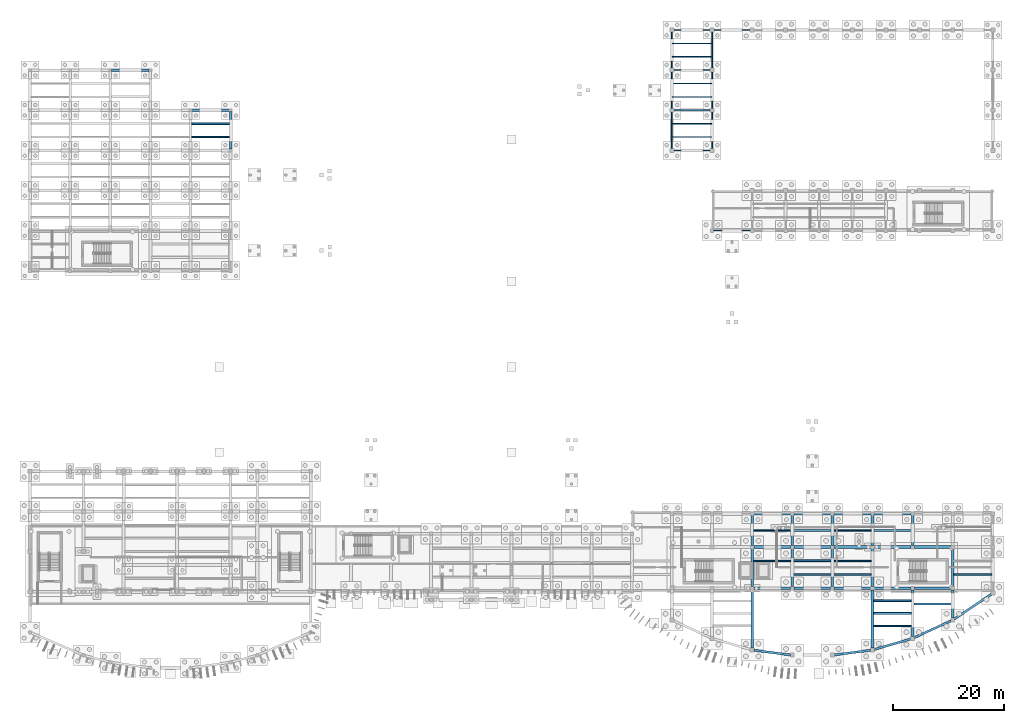
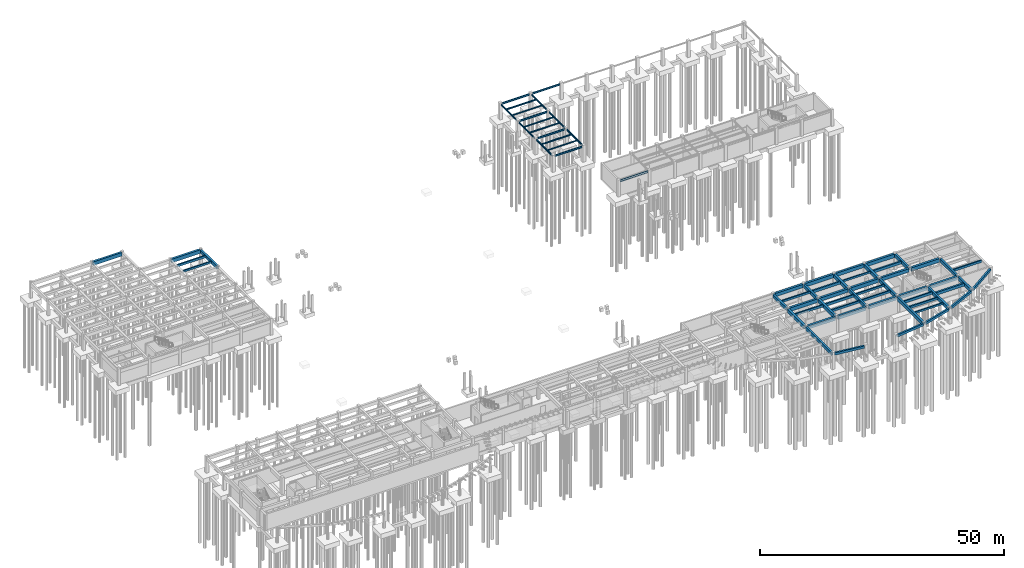
# One storey, part 14 of 31: 70 beams.
"""IFC4 building model written with IfcOpenShell, lengths in metres."""

from ifc_helpers import new_model, si_unit, direction, frame, origin, origin_2d, place, context, subcontext, project, spatial, rectangle, i_section, extrude, material, material_profile, profile_set, type_object, element, save


model = new_model("IFC4")

# Units and contexts
model_context = context("Model", 3, precision=1e-05, world=origin(), true_north=direction((0.0, 1.0)))
body_context = subcontext(model_context, "Body", "Model", "MODEL_VIEW")
ifc_project = project(units=[si_unit("LENGTHUNIT", "METRE"), si_unit("AREAUNIT", "SQUARE_METRE"), si_unit("VOLUMEUNIT", "CUBIC_METRE"), si_unit("PLANEANGLEUNIT", "RADIAN"), si_unit("MASSUNIT", "GRAM", prefix="KILO")], contexts=[model_context])

# Site, building, storey
site_placement = place(None, origin())
site = spatial("IfcSite", under=ifc_project, at=site_placement, CompositionType="ELEMENT")
building_placement = place(site_placement, origin())
building = spatial("IfcBuilding", under=site, at=building_placement, Name="Brisavento Harbour Community Centre", CompositionType="ELEMENT")
storey_placement = place(building_placement, frame((0.0, 0.0, -4.199951171875)))
storey = spatial("IfcBuildingStorey", under=building, at=storey_placement, Name="B1", CompositionType="ELEMENT", Elevation=-4.199951171875)

# Beams
ifc_material_1 = material(Name="Concrete C35/45", Category="concrete")
ifc_material_profile_1 = material_profile(ifc_material_1, rectangle(XDim=0.25, YDim=0.449951171875, at=origin_2d()), Name="Concrete C35/45")
ifc_profile_set_1 = profile_set([ifc_material_profile_1], Name="Concrete C35/45")
beam_type_1 = type_object("IfcBeamType", Name="BM-JST-250x450", PredefinedType="JOIST", material=ifc_profile_set_1)
beam_1_placement = place(storey_placement, frame((144.25, 25.39990234375, 3.695068359375), z_axis=(1.0, 0.0, 0.0), x_axis=(0.0, 1.0, 0.0)))
element("IfcBeam", 1, at=beam_1_placement, inside=storey, type_object=beam_type_1, Name="B1 secondary floor joist 0112", PredefinedType="JOIST", context=body_context, shape_type="SweptSolid", body=[
    extrude(rectangle(XDim=0.25, YDim=0.449951171875, at=origin_2d()), origin(), (0.0, 0.0, 1.0), 6.699951171875),
])
ifc_material_profile_2 = material_profile(ifc_material_1, rectangle(XDim=0.260009765625, YDim=0.4599609375, at=origin_2d()), Name="Concrete C35/45")
ifc_profile_set_2 = profile_set([ifc_material_profile_2], Name="Concrete C35/45")
beam_type_2 = type_object("IfcBeamType", Name="BM-JST-260x460", PredefinedType="JOIST", material=ifc_profile_set_2)
beam_2_placement = place(storey_placement, frame((29.050048828125, 96.0, 3.68994140625), z_axis=(1.0, 0.0, 0.0), x_axis=(0.0, 1.0, 0.0)))
element("IfcBeam", 2, at=beam_2_placement, inside=storey, type_object=beam_type_2, Name="B1 secondary floor joist 0060", PredefinedType="JOIST", context=body_context, shape_type="SweptSolid", body=[
    extrude(rectangle(XDim=0.260009765625, YDim=0.4599609375, at=origin_2d()), origin(), (0.0, 0.0, 1.0), 6.724853515625),
])
beam_3_placement = place(storey_placement, frame((151.449951171875, 8.26123046875, 3.68994140625), z_axis=(1.0, 0.0, 0.0), x_axis=(0.0, 1.0, 0.0)))
element("IfcBeam", 3, at=beam_3_placement, inside=storey, type_object=beam_type_2, Name="B1 secondary floor joist 0115", PredefinedType="JOIST", context=body_context, shape_type="SweptSolid", body=[
    extrude(rectangle(XDim=0.260009765625, YDim=0.4599609375, at=origin_2d()), origin(), (0.0, 0.0, 1.0), 6.699951171875),
])
ifc_material_profile_3 = material_profile(ifc_material_1, rectangle(XDim=0.300048828125, YDim=0.5, at=origin_2d()), Name="Concrete C35/45")
ifc_profile_set_3 = profile_set([ifc_material_profile_3], Name="Concrete C35/45")
beam_type_3 = type_object("IfcBeamType", Name="BM-JST-300x500", PredefinedType="JOIST", material=ifc_profile_set_3)
for number, where, z_axis, x_axis, name in (
    (4, (129.824951171875, 25.39990234375, 3.669921875), (1.0, 0.0, 0.0), (0.0, 1.0, 0.0), "B1 secondary floor joist 0100"),
    (5, (144.22509765625, 19.933349609375, 3.669921875), (1.0, 0.0, 0.0), (0.0, 1.0, 0.0), "B1 secondary floor joist 0111"),
):
    element("IfcBeam", number, at=place(storey_placement, frame(where, z_axis=z_axis, x_axis=x_axis)), inside=storey, type_object=beam_type_3, Name=name, PredefinedType="JOIST", context=body_context, shape_type="SweptSolid", body=[
        extrude(rectangle(XDim=0.300048828125, YDim=0.5, at=origin_2d()), origin(), (0.0, 0.0, 1.0), 6.75),
    ])
ifc_material_profile_4 = material_profile(ifc_material_1, rectangle(XDim=0.300048828125, YDim=0.550048828125, at=origin_2d()), Name="Concrete C35/45")
ifc_profile_set_4 = profile_set([ifc_material_profile_4], Name="Concrete C35/45")
beam_type_4 = type_object("IfcBeamType", Name="BM-JST-300x550", PredefinedType="JOIST", material=ifc_profile_set_4)
beam_4_placement = place(storey_placement, frame((129.85009765625, 19.933349609375, 3.64501953125), z_axis=(1.0, 0.0, 0.0), x_axis=(0.0, 1.0, 0.0)))
element("IfcBeam", 6, at=beam_4_placement, inside=storey, type_object=beam_type_4, Name="B1 secondary floor joist 0099", PredefinedType="JOIST", context=body_context, shape_type="SweptSolid", body=[
    extrude(rectangle(XDim=0.300048828125, YDim=0.550048828125, at=origin_2d()), origin(), (0.0, 0.0, 1.0), 6.699951171875),
])
for number, where, z_axis, x_axis, name in (
    (7, (144.22509765625, 17.466796875, 3.64501953125), (1.0, 0.0, 0.0), (0.0, 1.0, 0.0), "B1 secondary floor joist 0110"),
    (8, (165.824951171875, 17.466796875, 3.64501953125), (1.0, 0.0, 0.0), (0.0, 1.0, 0.0), "B1 secondary floor joist 0121"),
):
    element("IfcBeam", number, at=place(storey_placement, frame(where, z_axis=z_axis, x_axis=x_axis)), inside=storey, type_object=beam_type_4, Name=name, PredefinedType="JOIST", context=body_context, shape_type="SweptSolid", body=[
        extrude(rectangle(XDim=0.300048828125, YDim=0.550048828125, at=origin_2d()), origin(), (0.0, 0.0, 1.0), 6.75),
    ])
ifc_material_profile_5 = material_profile(ifc_material_1, rectangle(XDim=0.320068359375, YDim=0.56005859375, at=origin_2d()), Name="Concrete C35/45")
ifc_profile_set_5 = profile_set([ifc_material_profile_5], Name="Concrete C35/45")
beam_type_5 = type_object("IfcBeamType", Name="BM-JST-320x560", PredefinedType="JOIST", material=ifc_profile_set_5)
for number, where, z_axis, x_axis, name in (
    (9, (29.050048828125, 98.39990234375, 3.639892578125), (1.0, 0.0, 0.0), (0.0, 1.0, 0.0), "B1 secondary floor joist 0061"),
    (10, (137.050048828125, 17.466796875, 3.639892578125), (1.0, 0.0, 0.0), (0.0, 1.0, 0.0), "B1 secondary floor joist 0105"),
):
    element("IfcBeam", number, at=place(storey_placement, frame(where, z_axis=z_axis, x_axis=x_axis)), inside=storey, type_object=beam_type_5, Name=name, PredefinedType="JOIST", context=body_context, shape_type="SweptSolid", body=[
        extrude(rectangle(XDim=0.320068359375, YDim=0.56005859375, at=origin_2d()), origin(), (0.0, 0.0, 1.0), 6.724853515625),
    ])
beam_5_placement = place(storey_placement, frame((151.449951171875, 10.507568359375, 3.639892578125), z_axis=(1.0, 0.0, 0.0), x_axis=(0.0, 1.0, 0.0)))
element("IfcBeam", 11, at=beam_5_placement, inside=storey, type_object=beam_type_5, Name="B1 secondary floor joist 0116", PredefinedType="JOIST", context=body_context, shape_type="SweptSolid", body=[
    extrude(rectangle(XDim=0.320068359375, YDim=0.56005859375, at=origin_2d()), origin(), (0.0, 0.0, 1.0), 6.699951171875),
])
ifc_material_profile_6 = material_profile(ifc_material_1, rectangle(XDim=0.320068359375, YDim=0.6201171875, at=origin_2d()), Name="Concrete C35/45")
ifc_profile_set_6 = profile_set([ifc_material_profile_6], Name="Concrete C35/45")
beam_type_6 = type_object("IfcBeamType", Name="BM-JST-320x620", PredefinedType="JOIST", material=ifc_profile_set_6)
beam_6_placement = place(storey_placement, frame((137.050048828125, 19.933349609375, 3.60986328125), z_axis=(1.0, 0.0, 0.0), x_axis=(0.0, 1.0, 0.0)))
element("IfcBeam", 12, at=beam_6_placement, inside=storey, type_object=beam_type_6, Name="B1 secondary floor joist 0106", PredefinedType="JOIST", context=body_context, shape_type="SweptSolid", body=[
    extrude(rectangle(XDim=0.320068359375, YDim=0.6201171875, at=origin_2d()), origin(), (0.0, 0.0, 1.0), 6.724853515625),
])
beam_7_placement = place(storey_placement, frame((151.449951171875, 12.75390625, 3.60986328125), z_axis=(1.0, 0.0, 0.0), x_axis=(0.0, 1.0, 0.0)))
element("IfcBeam", 13, at=beam_7_placement, inside=storey, type_object=beam_type_6, Name="B1 secondary floor joist 0117", PredefinedType="JOIST", context=body_context, shape_type="SweptSolid", body=[
    extrude(rectangle(XDim=0.320068359375, YDim=0.6201171875, at=origin_2d()), origin(), (0.0, 0.0, 1.0), 6.699951171875),
])
ifc_material_profile_7 = material_profile(ifc_material_1, rectangle(XDim=0.360107421875, YDim=0.679931640625, at=origin_2d()), Name="Concrete C35/45")
ifc_profile_set_7 = profile_set([ifc_material_profile_7], Name="Concrete C35/45")
beam_type_7 = type_object("IfcBeamType", Name="BM-JST-360x680", PredefinedType="JOIST", material=ifc_profile_set_7)
for number, where, z_axis, x_axis, name in (
    (14, (137.02490234375, 25.39990234375, 3.579833984375), (1.0, 0.0, 0.0), (0.0, 1.0, 0.0), "B1 secondary floor joist 0107"),
    (15, (151.449951171875, 25.39990234375, 3.579833984375), (1.0, 0.0, 0.0), (0.0, 1.0, 0.0), "B1 secondary floor joist 0118"),
):
    element("IfcBeam", number, at=place(storey_placement, frame(where, z_axis=z_axis, x_axis=x_axis)), inside=storey, type_object=beam_type_7, Name=name, PredefinedType="JOIST", context=body_context, shape_type="SweptSolid", body=[
        extrude(rectangle(XDim=0.360107421875, YDim=0.679931640625, at=origin_2d()), origin(), (0.0, 0.0, 1.0), 6.72509765625),
    ])
ifc_material_profile_8 = material_profile(ifc_material_1, rectangle(XDim=0.3798828125, YDim=0.719970703125, at=origin_2d()), Name="Concrete C35/45")
ifc_profile_set_8 = profile_set([ifc_material_profile_8], Name="Concrete C35/45")
beam_type_8 = type_object("IfcBeamType", Name="BM-JST-380x720", PredefinedType="JOIST", material=ifc_profile_set_8)
beam_8_placement = place(storey_placement, frame((158.64990234375, 12.156982421875, 3.56005859375), z_axis=(1.0, 0.0, 0.0), x_axis=(0.0, 1.0, 0.0)))
element("IfcBeam", 16, at=beam_8_placement, inside=storey, type_object=beam_type_8, Name="B1 secondary floor joist 0119", PredefinedType="JOIST", context=body_context, shape_type="SweptSolid", body=[
    extrude(rectangle(XDim=0.3798828125, YDim=0.719970703125, at=origin_2d()), origin(), (0.0, 0.0, 1.0), 6.7001953125),
])
ifc_material_profile_9 = material_profile(ifc_material_1, rectangle(XDim=0.449951171875, YDim=0.800048828125, at=origin_2d()), Name="Concrete C35/45")
ifc_profile_set_9 = profile_set([ifc_material_profile_9], Name="Concrete C35/45")
beam_type_9 = type_object("IfcBeamType", Name="BM-RC-450x800", PredefinedType="BEAM", material=ifc_profile_set_9)
beam_9_placement = place(storey_placement, frame((36.0, 93.820068359375, 3.52001953125), z_axis=(0.0, 1.0, 0.0), x_axis=(-1.0, 0.0, 0.0)))
element("IfcBeam", 17, at=beam_9_placement, inside=storey, type_object=beam_type_9, Name="B1 primary girder Y0161", PredefinedType="BEAM", context=body_context, shape_type="SweptSolid", body=[
    extrude(rectangle(XDim=0.449951171875, YDim=0.800048828125, at=origin_2d()), origin(), (0.0, 0.0, 1.0), 6.760009765625),
])
beam_10_placement = place(storey_placement, frame((129.60009765625, 4.25390625, 3.52001953125), z_axis=(0.0, 1.0, 0.0), x_axis=(-1.0, 0.0, 0.0)))
element("IfcBeam", 18, at=beam_10_placement, inside=storey, type_object=beam_type_9, Name="B1 primary girder Y0185", PredefinedType="BEAM", context=body_context, shape_type="SweptSolid", body=[
    extrude(rectangle(XDim=0.449951171875, YDim=0.800048828125, at=origin_2d()), origin(), (0.0, 0.0, 1.0), 10.451171875),
])
for number, where, z_axis, x_axis, name in (
    (19, (129.60009765625, 22.695068359375, 3.52001953125), (0.0, 1.0, 0.0), (-1.0, 0.0, 0.0), "B1 primary girder Y0187"),
    (20, (136.800048828125, 22.695068359375, 3.52001953125), (0.0, 1.0, 0.0), (-1.0, 0.0, 0.0), "B1 primary girder Y0191"),
):
    element("IfcBeam", number, at=place(storey_placement, frame(where, z_axis=z_axis, x_axis=x_axis)), inside=storey, type_object=beam_type_9, Name=name, PredefinedType="BEAM", context=body_context, shape_type="SweptSolid", body=[
        extrude(rectangle(XDim=0.449951171875, YDim=0.800048828125, at=origin_2d()), origin(), (0.0, 0.0, 1.0), 5.434814453125),
    ])
for number, where, z_axis, x_axis, name in (
    (21, (144.0, 15.294921875, 3.52001953125), (0.0, 1.0, 0.0), (-1.0, 0.0, 0.0), "B1 primary girder Y0193"),
    (22, (151.199951171875, 15.294921875, 3.52001953125), (0.0, 1.0, 0.0), (-1.0, 0.0, 0.0), "B1 primary girder Y0197"),
):
    element("IfcBeam", number, at=place(storey_placement, frame(where, z_axis=z_axis, x_axis=x_axis)), inside=storey, type_object=beam_type_9, Name=name, PredefinedType="BEAM", context=body_context, shape_type="SweptSolid", body=[
        extrude(rectangle(XDim=0.449951171875, YDim=0.800048828125, at=origin_2d()), origin(), (0.0, 0.0, 1.0), 6.81005859375),
    ])
beam_11_placement = place(storey_placement, frame((158.39990234375, 22.695068359375, 3.52001953125), z_axis=(0.0, 1.0, 0.0), x_axis=(-1.0, 0.0, 0.0)))
element("IfcBeam", 23, at=beam_11_placement, inside=storey, type_object=beam_type_9, Name="B1 primary girder Y0201", PredefinedType="BEAM", context=body_context, shape_type="SweptSolid", body=[
    extrude(rectangle(XDim=0.449951171875, YDim=0.800048828125, at=origin_2d()), origin(), (0.0, 0.0, 1.0), 5.434814453125),
])
beam_12_placement = place(storey_placement, frame((165.60009765625, 15.294921875, 3.52001953125), z_axis=(0.0, 1.0, 0.0), x_axis=(-1.0, 0.0, 0.0)))
element("IfcBeam", 24, at=beam_12_placement, inside=storey, type_object=beam_type_9, Name="B1 primary girder Y0203", PredefinedType="BEAM", context=body_context, shape_type="SweptSolid", body=[
    extrude(rectangle(XDim=0.449951171875, YDim=0.800048828125, at=origin_2d()), origin(), (0.0, 0.0, 1.0), 6.81005859375),
])
ifc_material_profile_10 = material_profile(ifc_material_1, rectangle(XDim=0.5, YDim=0.85009765625, at=origin_2d()), Name="Concrete C35/45")
ifc_profile_set_10 = profile_set([ifc_material_profile_10], Name="Concrete C35/45")
beam_type_10 = type_object("IfcBeamType", Name="BM-RC-500x850", PredefinedType="BEAM", material=ifc_profile_set_10)
beam_13_placement = place(storey_placement, frame((129.89501953125, 15.0, 3.494873046875), z_axis=(1.0, 0.0, 0.0), x_axis=(0.0, 1.0, 0.0)))
element("IfcBeam", 25, at=beam_13_placement, inside=storey, type_object=beam_type_10, Name="B1 primary girder X0021", PredefinedType="BEAM", context=body_context, shape_type="SweptSolid", body=[
    extrude(rectangle(XDim=0.5, YDim=0.85009765625, at=origin_2d()), origin(), (0.0, 0.0, 1.0), 6.60986328125),
])
beam_14_placement = place(storey_placement, frame((144.294921875, 15.0, 3.494873046875), z_axis=(1.0, 0.0, 0.0), x_axis=(0.0, 1.0, 0.0)))
element("IfcBeam", 26, at=beam_14_placement, inside=storey, type_object=beam_type_10, Name="B1 primary girder X0023", PredefinedType="BEAM", context=body_context, shape_type="SweptSolid", body=[
    extrude(rectangle(XDim=0.5, YDim=0.85009765625, at=origin_2d()), origin(), (0.0, 0.0, 1.0), 6.610107421875),
])
beam_15_placement = place(storey_placement, frame((158.695068359375, 15.0, 3.494873046875), z_axis=(1.0, 0.0, 0.0), x_axis=(0.0, 1.0, 0.0)))
element("IfcBeam", 27, at=beam_15_placement, inside=storey, type_object=beam_type_10, Name="B1 primary girder X0025", PredefinedType="BEAM", context=body_context, shape_type="SweptSolid", body=[
    extrude(rectangle(XDim=0.5, YDim=0.85009765625, at=origin_2d()), origin(), (0.0, 0.0, 1.0), 6.60986328125),
])
beam_16_placement = place(storey_placement, frame((137.094970703125, 22.39990234375, 3.494873046875), z_axis=(1.0, 0.0, 0.0), x_axis=(0.0, 1.0, 0.0)))
element("IfcBeam", 28, at=beam_16_placement, inside=storey, type_object=beam_type_10, Name="B1 primary girder X0031", PredefinedType="BEAM", context=body_context, shape_type="SweptSolid", body=[
    extrude(rectangle(XDim=0.5, YDim=0.85009765625, at=origin_2d()), origin(), (0.0, 0.0, 1.0), 6.610107421875),
])
beam_17_placement = place(storey_placement, frame((151.4951171875, 22.39990234375, 3.494873046875), z_axis=(1.0, 0.0, 0.0), x_axis=(0.0, 1.0, 0.0)))
element("IfcBeam", 29, at=beam_17_placement, inside=storey, type_object=beam_type_10, Name="B1 primary girder X0033", PredefinedType="BEAM", context=body_context, shape_type="SweptSolid", body=[
    extrude(rectangle(XDim=0.5, YDim=0.85009765625, at=origin_2d()), origin(), (0.0, 0.0, 1.0), 6.60986328125),
])
for number, where, z_axis, x_axis, name in (
    (30, (129.8701171875, 28.39990234375, 3.494873046875), (1.0, 0.0, 0.0), (0.0, 1.0, 0.0), "B1 primary girder X0045"),
    (31, (144.27001953125, 28.39990234375, 3.494873046875), (1.0, 0.0, 0.0), (0.0, 1.0, 0.0), "B1 primary girder X0047"),
):
    element("IfcBeam", number, at=place(storey_placement, frame(where, z_axis=z_axis, x_axis=x_axis)), inside=storey, type_object=beam_type_10, Name=name, PredefinedType="BEAM", context=body_context, shape_type="SweptSolid", body=[
        extrude(rectangle(XDim=0.5, YDim=0.85009765625, at=origin_2d()), origin(), (0.0, 0.0, 1.0), 6.659912109375),
    ])
ifc_material_profile_11 = material_profile(ifc_material_1, rectangle(XDim=0.5, YDim=0.89990234375, at=origin_2d()), Name="Concrete C35/45")
ifc_profile_set_11 = profile_set([ifc_material_profile_11], Name="Concrete C35/45")
beam_type_11 = type_object("IfcBeamType", Name="BM-RC-500x900", PredefinedType="BEAM", material=ifc_profile_set_11)
beam_18_placement = place(storey_placement, frame((137.094970703125, 15.0, 3.469970703125), z_axis=(1.0, 0.0, 0.0), x_axis=(0.0, 1.0, 0.0)))
element("IfcBeam", 32, at=beam_18_placement, inside=storey, type_object=beam_type_11, Name="B1 primary girder X0022", PredefinedType="BEAM", context=body_context, shape_type="SweptSolid", body=[
    extrude(rectangle(XDim=0.5, YDim=0.89990234375, at=origin_2d()), origin(), (0.0, 0.0, 1.0), 6.610107421875),
])
for number, where, z_axis, x_axis, name in (
    (33, (151.4951171875, 15.0, 3.469970703125), (1.0, 0.0, 0.0), (0.0, 1.0, 0.0), "B1 primary girder X0024"),
    (34, (129.89501953125, 22.39990234375, 3.469970703125), (1.0, 0.0, 0.0), (0.0, 1.0, 0.0), "B1 primary girder X0030"),
):
    element("IfcBeam", number, at=place(storey_placement, frame(where, z_axis=z_axis, x_axis=x_axis)), inside=storey, type_object=beam_type_11, Name=name, PredefinedType="BEAM", context=body_context, shape_type="SweptSolid", body=[
        extrude(rectangle(XDim=0.5, YDim=0.89990234375, at=origin_2d()), origin(), (0.0, 0.0, 1.0), 6.60986328125),
    ])
beam_19_placement = place(storey_placement, frame((144.294921875, 22.39990234375, 3.469970703125), z_axis=(1.0, 0.0, 0.0), x_axis=(0.0, 1.0, 0.0)))
element("IfcBeam", 35, at=beam_19_placement, inside=storey, type_object=beam_type_11, Name="B1 primary girder X0032", PredefinedType="BEAM", context=body_context, shape_type="SweptSolid", body=[
    extrude(rectangle(XDim=0.5, YDim=0.89990234375, at=origin_2d()), origin(), (0.0, 0.0, 1.0), 6.610107421875),
])
beam_20_placement = place(storey_placement, frame((158.695068359375, 22.39990234375, 3.469970703125), z_axis=(1.0, 0.0, 0.0), x_axis=(0.0, 1.0, 0.0)))
element("IfcBeam", 36, at=beam_20_placement, inside=storey, type_object=beam_type_11, Name="B1 primary girder X0034", PredefinedType="BEAM", context=body_context, shape_type="SweptSolid", body=[
    extrude(rectangle(XDim=0.5, YDim=0.89990234375, at=origin_2d()), origin(), (0.0, 0.0, 1.0), 6.60986328125),
])
for number, where, z_axis, x_axis, name in (
    (37, (137.070068359375, 28.39990234375, 3.469970703125), (1.0, 0.0, 0.0), (0.0, 1.0, 0.0), "B1 primary girder X0046"),
    (38, (151.469970703125, 28.39990234375, 3.469970703125), (1.0, 0.0, 0.0), (0.0, 1.0, 0.0), "B1 primary girder X0048"),
):
    element("IfcBeam", number, at=place(storey_placement, frame(where, z_axis=z_axis, x_axis=x_axis)), inside=storey, type_object=beam_type_11, Name=name, PredefinedType="BEAM", context=body_context, shape_type="SweptSolid", body=[
        extrude(rectangle(XDim=0.5, YDim=0.89990234375, at=origin_2d()), origin(), (0.0, 0.0, 1.0), 6.659912109375),
    ])
beam_21_placement = place(storey_placement, frame((29.02001953125, 100.800048828125, 3.469970703125), z_axis=(1.0, 0.0, 0.0), x_axis=(0.0, 1.0, 0.0)))
element("IfcBeam", 39, at=beam_21_placement, inside=storey, type_object=beam_type_11, Name="B1 primary girder X0106", PredefinedType="BEAM", context=body_context, shape_type="SweptSolid", body=[
    extrude(rectangle(XDim=0.5, YDim=0.89990234375, at=origin_2d()), origin(), (0.0, 0.0, 1.0), 6.760009765625),
])
beam_22_placement = place(storey_placement, frame((14.6201171875, 108.0, 3.469970703125), z_axis=(1.0, 0.0, 0.0), x_axis=(0.0, 1.0, 0.0)))
element("IfcBeam", 40, at=beam_22_placement, inside=storey, type_object=beam_type_11, Name="B1 primary girder X0110", PredefinedType="BEAM", context=body_context, shape_type="SweptSolid", body=[
    extrude(rectangle(XDim=0.5, YDim=0.89990234375, at=origin_2d()), origin(), (0.0, 0.0, 1.0), 6.759765625),
])
for number, where, z_axis, x_axis, name in (
    (41, (129.60009765625, 15.294921875, 3.469970703125), (0.0, 1.0, 0.0), (-1.0, 0.0, 0.0), "B1 primary girder Y0186"),
    (42, (136.800048828125, 15.294921875, 3.469970703125), (0.0, 1.0, 0.0), (-1.0, 0.0, 0.0), "B1 primary girder Y0190"),
):
    element("IfcBeam", number, at=place(storey_placement, frame(where, z_axis=z_axis, x_axis=x_axis)), inside=storey, type_object=beam_type_11, Name=name, PredefinedType="BEAM", context=body_context, shape_type="SweptSolid", body=[
        extrude(rectangle(XDim=0.5, YDim=0.89990234375, at=origin_2d()), origin(), (0.0, 0.0, 1.0), 6.81005859375),
    ])
beam_23_placement = place(storey_placement, frame((144.0, 22.695068359375, 3.469970703125), z_axis=(0.0, 1.0, 0.0), x_axis=(-1.0, 0.0, 0.0)))
element("IfcBeam", 43, at=beam_23_placement, inside=storey, type_object=beam_type_11, Name="B1 primary girder Y0194", PredefinedType="BEAM", context=body_context, shape_type="SweptSolid", body=[
    extrude(rectangle(XDim=0.5, YDim=0.89990234375, at=origin_2d()), origin(), (0.0, 0.0, 1.0), 5.434814453125),
])
beam_24_placement = place(storey_placement, frame((151.199951171875, 4.25390625, 3.469970703125), z_axis=(0.0, 1.0, 0.0), x_axis=(-1.0, 0.0, 0.0)))
element("IfcBeam", 44, at=beam_24_placement, inside=storey, type_object=beam_type_11, Name="B1 primary girder Y0196", PredefinedType="BEAM", context=body_context, shape_type="SweptSolid", body=[
    extrude(rectangle(XDim=0.5, YDim=0.89990234375, at=origin_2d()), origin(), (0.0, 0.0, 1.0), 10.451171875),
])
beam_25_placement = place(storey_placement, frame((151.199951171875, 22.695068359375, 3.469970703125), z_axis=(0.0, 1.0, 0.0), x_axis=(-1.0, 0.0, 0.0)))
element("IfcBeam", 45, at=beam_25_placement, inside=storey, type_object=beam_type_11, Name="B1 primary girder Y0198", PredefinedType="BEAM", context=body_context, shape_type="SweptSolid", body=[
    extrude(rectangle(XDim=0.5, YDim=0.89990234375, at=origin_2d()), origin(), (0.0, 0.0, 1.0), 5.434814453125),
])
beam_26_placement = place(storey_placement, frame((158.39990234375, 6.3349609375, 3.469970703125), z_axis=(0.0, 1.0, 0.0), x_axis=(-1.0, 0.0, 0.0)))
element("IfcBeam", 46, at=beam_26_placement, inside=storey, type_object=beam_type_11, Name="B1 primary girder Y0200", PredefinedType="BEAM", context=body_context, shape_type="SweptSolid", body=[
    extrude(rectangle(XDim=0.5, YDim=0.89990234375, at=origin_2d()), origin(), (0.0, 0.0, 1.0), 8.3701171875),
])
beam_27_placement = place(storey_placement, frame((165.60009765625, 9.634033203125, 3.469970703125), z_axis=(0.0, 1.0, 0.0), x_axis=(-1.0, 0.0, 0.0)))
element("IfcBeam", 47, at=beam_27_placement, inside=storey, type_object=beam_type_11, Name="B1 primary girder Y0202", PredefinedType="BEAM", context=body_context, shape_type="SweptSolid", body=[
    extrude(rectangle(XDim=0.5, YDim=0.89990234375, at=origin_2d()), origin(), (0.0, 0.0, 1.0), 5.071044921875),
])
ifc_material_profile_12 = material_profile(ifc_material_1, rectangle(XDim=0.39990234375, YDim=0.60009765625, at=origin_2d()), Name="Concrete C35/45")
ifc_profile_set_12 = profile_set([ifc_material_profile_12], Name="Concrete C35/45")
beam_type_12 = type_object("IfcBeamType", Name="BM-SPN-400x600", PredefinedType="SPANDREL", material=ifc_profile_set_12)
for number, where, z_axis, x_axis, name in (
    (48, (129.917236328125, 3.892822265625, 3.619873046875), (0.991693101338, -0.128626563196, 0.0), (0.128626563196, 0.991693101338, 0.0), "B1 curved perimeter spandrel 0218"),
    (49, (144.3173828125, 3.041259765625, 3.619873046875), (0.991693101338, 0.128626563196, 0.0), (-0.128626563196, 0.991693101338, 0.0), "B1 curved perimeter spandrel 0219"),
):
    element("IfcBeam", number, at=place(storey_placement, frame(where, z_axis=z_axis, x_axis=x_axis)), inside=storey, type_object=beam_type_12, Name=name, PredefinedType="SPANDREL", context=body_context, shape_type="SweptSolid", body=[
        extrude(rectangle(XDim=0.39990234375, YDim=0.60009765625, at=origin_2d()), origin(), (0.0, 0.0, 1.0), 6.620361328125),
    ])
beam_28_placement = place(storey_placement, frame((151.50732421875, 4.02294921875, 3.619873046875), z_axis=(0.960687587705, 0.277631696369, 0.0), x_axis=(-0.277631696369, 0.960687587705, 0.0)))
element("IfcBeam", 50, at=beam_28_placement, inside=storey, type_object=beam_type_12, Name="B1 curved perimeter spandrel 0220", PredefinedType="SPANDREL", context=body_context, shape_type="SweptSolid", body=[
    extrude(rectangle(XDim=0.39990234375, YDim=0.60009765625, at=origin_2d()), origin(), (0.0, 0.0, 1.0), 6.854736328125),
])
beam_29_placement = place(storey_placement, frame((158.69091796875, 6.148193359375, 3.619873046875), z_axis=(0.909109276526, 0.416557707088, 0.0), x_axis=(-0.416557707088, 0.909109276526, 0.0)))
element("IfcBeam", 51, at=beam_29_placement, inside=storey, type_object=beam_type_12, Name="B1 curved perimeter spandrel 0221", PredefinedType="SPANDREL", context=body_context, shape_type="SweptSolid", body=[
    extrude(rectangle(XDim=0.39990234375, YDim=0.60009765625, at=origin_2d()), origin(), (0.0, 0.0, 1.0), 7.27978515625),
])
beam_30_placement = place(storey_placement, frame((165.865966796875, 9.491943359375, 3.619873046875), z_axis=(0.831305000321, 0.555816513286, 0.0), x_axis=(-0.555816513286, 0.831305000321, 0.0)))
element("IfcBeam", 52, at=beam_30_placement, inside=storey, type_object=beam_type_12, Name="B1 curved perimeter spandrel 0222", PredefinedType="SPANDREL", context=body_context, shape_type="SweptSolid", body=[
    extrude(rectangle(XDim=0.39990234375, YDim=0.60009765625, at=origin_2d()), origin(), (0.0, 0.0, 1.0), 8.02099609375),
])
ifc_material_2 = material(Name="Steel S355", Category="steel")
ifc_material_profile_13 = material_profile(ifc_material_2, i_section(OverallWidth=0.1201171875, OverallDepth=0.239990234375, WebThickness=0.006103515625, FlangeThickness=0.009765625, FilletRadius=0.014892578125, at=origin_2d()), Name="Steel S355")
ifc_profile_set_13 = profile_set([ifc_material_profile_13], Name="Steel S355")
beam_type_13 = type_object("IfcBeamType", Name="BM-STL-IPE240", PredefinedType="JOIST", material=ifc_profile_set_13)
beam_31_placement = place(storey_placement, frame((115.2900390625, 103.199951171875, 3.800048828125), z_axis=(1.0, 0.0, 0.0), x_axis=(0.0, 1.0, 0.0)))
element("IfcBeam", 53, at=beam_31_placement, inside=storey, type_object=beam_type_13, Name="B1 secondary floor joist 0091", PredefinedType="JOIST", context=body_context, shape_type="SweptSolid", body=[
    extrude(i_section(OverallWidth=0.1201171875, OverallDepth=0.239990234375, WebThickness=0.006103515625, FlangeThickness=0.009765625, FilletRadius=0.014892578125, at=origin_2d()), origin(), (0.0, 0.0, 1.0), 7.02001953125),
])
ifc_material_profile_14 = material_profile(ifc_material_2, i_section(OverallWidth=0.135009765625, OverallDepth=0.27001953125, WebThickness=0.006591796875, FlangeThickness=0.01025390625, FilletRadius=0.014892578125, at=origin_2d()), Name="Steel S355")
ifc_profile_set_14 = profile_set([ifc_material_profile_14], Name="Steel S355")
beam_type_14 = type_object("IfcBeamType", Name="BM-STL-IPE270", PredefinedType="JOIST", material=ifc_profile_set_14)
for number, where, z_axis, x_axis, name in (
    (54, (115.2900390625, 98.39990234375, 3.784912109375), (1.0, 0.0, 0.0), (0.0, 1.0, 0.0), "B1 secondary floor joist 0090"),
    (55, (115.2900390625, 112.800048828125, 3.784912109375), (1.0, 0.0, 0.0), (0.0, 1.0, 0.0), "B1 secondary floor joist 0094"),
):
    element("IfcBeam", number, at=place(storey_placement, frame(where, z_axis=z_axis, x_axis=x_axis)), inside=storey, type_object=beam_type_14, Name=name, PredefinedType="JOIST", context=body_context, shape_type="SweptSolid", body=[
        extrude(i_section(OverallWidth=0.135009765625, OverallDepth=0.27001953125, WebThickness=0.006591796875, FlangeThickness=0.01025390625, FilletRadius=0.014892578125, at=origin_2d()), origin(), (0.0, 0.0, 1.0), 7.02001953125),
    ])
ifc_material_profile_15 = material_profile(ifc_material_2, i_section(OverallWidth=0.14990234375, OverallDepth=0.300048828125, WebThickness=0.007080078125, FlangeThickness=0.0107421875, FilletRadius=0.014892578125, at=origin_2d()), Name="Steel S355")
ifc_profile_set_15 = profile_set([ifc_material_profile_15], Name="Steel S355")
beam_type_15 = type_object("IfcBeamType", Name="BM-STL-IPE300", PredefinedType="JOIST", material=ifc_profile_set_15)
for number, where, z_axis, x_axis, name in (
    (56, (115.2900390625, 96.0, 3.77001953125), (1.0, 0.0, 0.0), (0.0, 1.0, 0.0), "B1 secondary floor joist 0089"),
    (57, (115.2900390625, 110.39990234375, 3.77001953125), (1.0, 0.0, 0.0), (0.0, 1.0, 0.0), "B1 secondary floor joist 0093"),
):
    element("IfcBeam", number, at=place(storey_placement, frame(where, z_axis=z_axis, x_axis=x_axis)), inside=storey, type_object=beam_type_15, Name=name, PredefinedType="JOIST", context=body_context, shape_type="SweptSolid", body=[
        extrude(i_section(OverallWidth=0.14990234375, OverallDepth=0.300048828125, WebThickness=0.007080078125, FlangeThickness=0.0107421875, FilletRadius=0.014892578125, at=origin_2d()), origin(), (0.0, 0.0, 1.0), 7.02001953125),
    ])
ifc_material_profile_16 = material_profile(ifc_material_2, i_section(OverallWidth=0.159912109375, OverallDepth=0.330078125, WebThickness=0.007568359375, FlangeThickness=0.011474609375, FilletRadius=0.01806640625, at=origin_2d()), Name="Steel S355")
ifc_profile_set_16 = profile_set([ifc_material_profile_16], Name="Steel S355")
beam_type_16 = type_object("IfcBeamType", Name="BM-STL-IPE330", PredefinedType="JOIST", material=ifc_profile_set_16)
beam_32_placement = place(storey_placement, frame((115.2900390625, 105.60009765625, 3.7548828125), z_axis=(1.0, 0.0, 0.0), x_axis=(0.0, 1.0, 0.0)))
element("IfcBeam", 58, at=beam_32_placement, inside=storey, type_object=beam_type_16, Name="B1 secondary floor joist 0092", PredefinedType="JOIST", context=body_context, shape_type="SweptSolid", body=[
    extrude(i_section(OverallWidth=0.159912109375, OverallDepth=0.330078125, WebThickness=0.007568359375, FlangeThickness=0.011474609375, FilletRadius=0.01806640625, at=origin_2d()), origin(), (0.0, 0.0, 1.0), 7.02001953125),
])
ifc_material_profile_17 = material_profile(ifc_material_2, i_section(OverallWidth=0.179931640625, OverallDepth=0.39990234375, WebThickness=0.008544921875, FlangeThickness=0.013427734375, FilletRadius=0.02099609375, at=origin_2d()), Name="Steel S355")
ifc_profile_set_17 = profile_set([ifc_material_profile_17], Name="Steel S355")
beam_type_17 = type_object("IfcBeamType", Name="BM-STL-IPE400", PredefinedType="BEAM", material=ifc_profile_set_17)
beam_33_placement = place(storey_placement, frame((115.199951171875, 93.919921875, 3.719970703125), z_axis=(0.0, 1.0, 0.0), x_axis=(-1.0, 0.0, 0.0)))
element("IfcBeam", 59, at=beam_33_placement, inside=storey, type_object=beam_type_17, Name="B1 primary girder Y0177", PredefinedType="BEAM", context=body_context, shape_type="SweptSolid", body=[
    extrude(i_section(OverallWidth=0.179931640625, OverallDepth=0.39990234375, WebThickness=0.008544921875, FlangeThickness=0.013427734375, FilletRadius=0.02099609375, at=origin_2d()), origin(), (0.0, 0.0, 1.0), 6.56005859375),
])
for number, where, z_axis, x_axis, name in (
    (60, (115.199951171875, 101.1201171875, 3.719970703125), (0.0, 1.0, 0.0), (-1.0, 0.0, 0.0), "B1 primary girder Y0178"),
    (61, (115.199951171875, 108.320068359375, 3.719970703125), (0.0, 1.0, 0.0), (-1.0, 0.0, 0.0), "B1 primary girder Y0179"),
):
    element("IfcBeam", number, at=place(storey_placement, frame(where, z_axis=z_axis, x_axis=x_axis)), inside=storey, type_object=beam_type_17, Name=name, PredefinedType="BEAM", context=body_context, shape_type="SweptSolid", body=[
        extrude(i_section(OverallWidth=0.179931640625, OverallDepth=0.39990234375, WebThickness=0.008544921875, FlangeThickness=0.013427734375, FilletRadius=0.02099609375, at=origin_2d()), origin(), (0.0, 0.0, 1.0), 6.559814453125),
    ])
beam_34_placement = place(storey_placement, frame((122.39990234375, 93.919921875, 3.719970703125), z_axis=(0.0, 1.0, 0.0), x_axis=(-1.0, 0.0, 0.0)))
element("IfcBeam", 62, at=beam_34_placement, inside=storey, type_object=beam_type_17, Name="B1 primary girder Y0182", PredefinedType="BEAM", context=body_context, shape_type="SweptSolid", body=[
    extrude(i_section(OverallWidth=0.179931640625, OverallDepth=0.39990234375, WebThickness=0.008544921875, FlangeThickness=0.013427734375, FilletRadius=0.02099609375, at=origin_2d()), origin(), (0.0, 0.0, 1.0), 6.56005859375),
])
for number, where, z_axis, x_axis, name in (
    (63, (122.39990234375, 101.1201171875, 3.719970703125), (0.0, 1.0, 0.0), (-1.0, 0.0, 0.0), "B1 primary girder Y0183"),
    (64, (122.39990234375, 108.320068359375, 3.719970703125), (0.0, 1.0, 0.0), (-1.0, 0.0, 0.0), "B1 primary girder Y0184"),
):
    element("IfcBeam", number, at=place(storey_placement, frame(where, z_axis=z_axis, x_axis=x_axis)), inside=storey, type_object=beam_type_17, Name=name, PredefinedType="BEAM", context=body_context, shape_type="SweptSolid", body=[
        extrude(i_section(OverallWidth=0.179931640625, OverallDepth=0.39990234375, WebThickness=0.008544921875, FlangeThickness=0.013427734375, FilletRadius=0.02099609375, at=origin_2d()), origin(), (0.0, 0.0, 1.0), 6.559814453125),
    ])
ifc_material_profile_18 = material_profile(ifc_material_2, i_section(OverallWidth=0.18994140625, OverallDepth=0.449951171875, WebThickness=0.009521484375, FlangeThickness=0.0146484375, FilletRadius=0.02099609375, at=origin_2d()), Name="Steel S355")
ifc_profile_set_18 = profile_set([ifc_material_profile_18], Name="Steel S355")
beam_type_18 = type_object("IfcBeamType", Name="BM-STL-IPE450", PredefinedType="BEAM", material=ifc_profile_set_18)
beam_35_placement = place(storey_placement, frame((122.669921875, 79.199951171875, 3.695068359375), z_axis=(1.0, 0.0, 0.0), x_axis=(0.0, 1.0, 0.0)))
element("IfcBeam", 65, at=beam_35_placement, inside=storey, type_object=beam_type_18, Name="B1 primary girder X0077", PredefinedType="BEAM", context=body_context, shape_type="SweptSolid", body=[
    extrude(i_section(OverallWidth=0.18994140625, OverallDepth=0.449951171875, WebThickness=0.009521484375, FlangeThickness=0.0146484375, FilletRadius=0.02099609375, at=origin_2d()), origin(), (0.0, 0.0, 1.0), 6.66015625),
])
for number, where, z_axis, x_axis, name in (
    (66, (115.52001953125, 93.60009765625, 3.695068359375), (1.0, 0.0, 0.0), (0.0, 1.0, 0.0), "B1 primary girder X0101"),
    (67, (115.52001953125, 100.800048828125, 3.695068359375), (1.0, 0.0, 0.0), (0.0, 1.0, 0.0), "B1 primary girder X0107"),
    (68, (115.52001953125, 108.0, 3.695068359375), (1.0, 0.0, 0.0), (0.0, 1.0, 0.0), "B1 primary girder X0111"),
    (69, (115.52001953125, 115.199951171875, 3.695068359375), (1.0, 0.0, 0.0), (0.0, 1.0, 0.0), "B1 primary girder X0112"),
    (70, (122.719970703125, 115.199951171875, 3.695068359375), (1.0, 0.0, 0.0), (0.0, 1.0, 0.0), "B1 primary girder X0113"),
):
    element("IfcBeam", number, at=place(storey_placement, frame(where, z_axis=z_axis, x_axis=x_axis)), inside=storey, type_object=beam_type_18, Name=name, PredefinedType="BEAM", context=body_context, shape_type="SweptSolid", body=[
        extrude(i_section(OverallWidth=0.18994140625, OverallDepth=0.449951171875, WebThickness=0.009521484375, FlangeThickness=0.0146484375, FilletRadius=0.02099609375, at=origin_2d()), origin(), (0.0, 0.0, 1.0), 6.56005859375),
    ])

save(model, "model.ifc")
